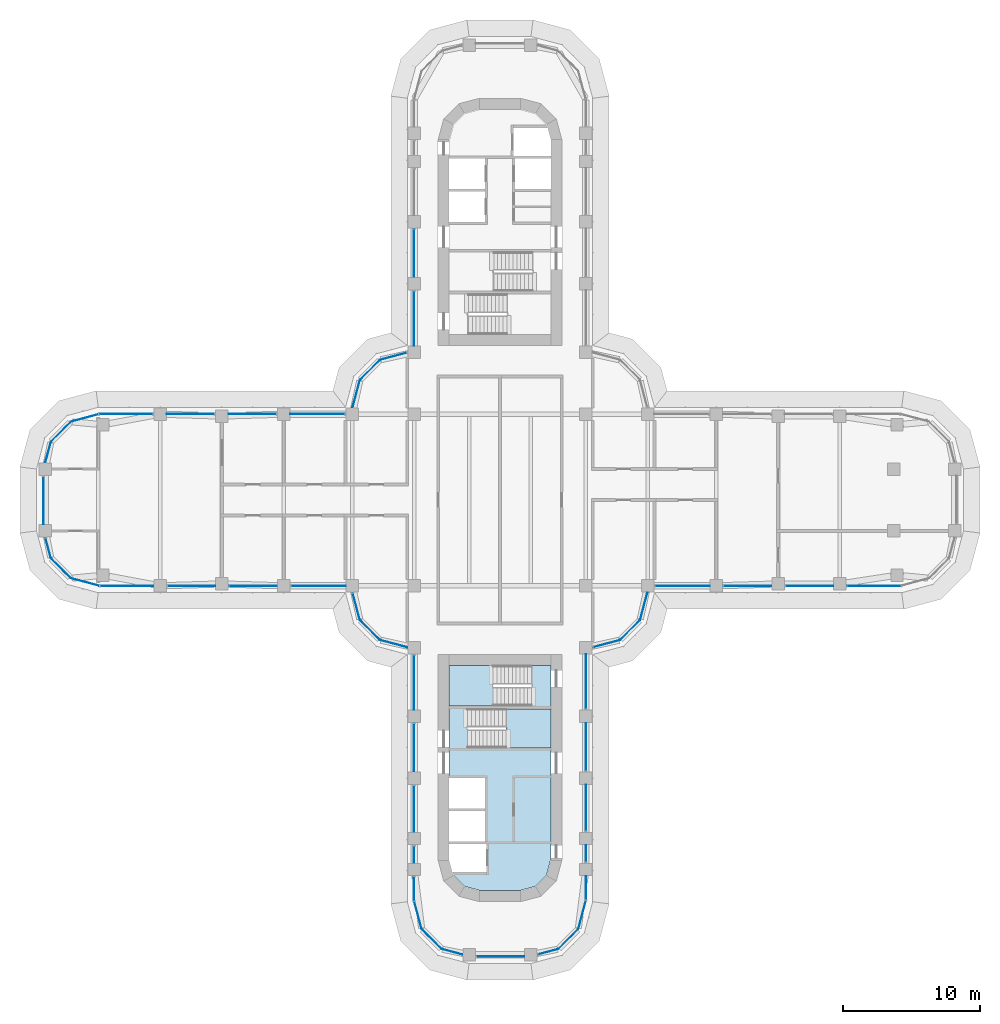
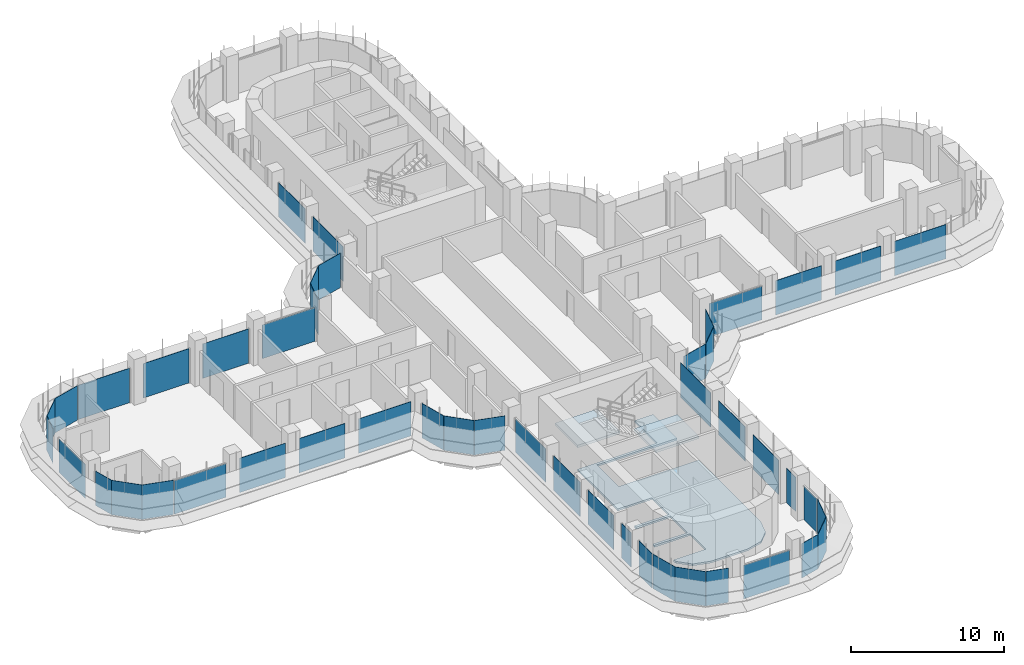
# One storey, part 13 of 23: 47 plates, 3 slabs, 31 elements without a shape of their own.
"""IFC4 building model written with IfcOpenShell, lengths in metres."""

from ifc_helpers import new_model, si_unit, direction, frame, origin, place, context, subcontext, project, spatial, polyline, outline, extrude, source, transform, mapped, material, layer, layer_set, type_object, element, aggregate, save


model = new_model("IFC4")

# Units and contexts
model_context = context("Model", 3, precision=1e-05, world=origin(), true_north=direction((0.0, 1.0)))
body_context = subcontext(model_context, "Body", "Model", "MODEL_VIEW")
ifc_project = project(units=[si_unit("LENGTHUNIT", "METRE"), si_unit("AREAUNIT", "SQUARE_METRE"), si_unit("VOLUMEUNIT", "CUBIC_METRE"), si_unit("PLANEANGLEUNIT", "RADIAN"), si_unit("MASSUNIT", "GRAM", prefix="KILO")], contexts=[model_context])

# Site, building, storey
site_placement = place(None, origin())
site = spatial("IfcSite", under=ifc_project, at=site_placement, CompositionType="ELEMENT")
building_placement = place(site_placement, origin())
building = spatial("IfcBuilding", under=site, at=building_placement, Name="Zarbagh Exchange Tower", CompositionType="ELEMENT")
storey_placement = place(building_placement, frame((0.0, 0.0, 90.39990234375)))
storey = spatial("IfcBuildingStorey", under=building, at=storey_placement, Name="L20", CompositionType="ELEMENT", Elevation=90.39990234375)

# Slab
ifc_material_1 = material(Name="Concrete C40/50", Category="concrete")
ifc_layer_1 = layer(ifc_material_1, 0.14990234375)
ifc_layer_set_1 = layer_set([ifc_layer_1], Name="Core floor slab 150 C40/50")
slab_type_1 = type_object("IfcSlabType", Name="Core floor slab 150 C40/50", PredefinedType="FLOOR", material=ifc_layer_set_1)
slab_1_placement = place(storey_placement, frame((0.0, 0.0, -0.14990234375)))
element("IfcSlab", 1, at=slab_1_placement, inside=storey, type_object=slab_type_1, Name="S17 core S", PredefinedType="FLOOR", context=body_context, shape_type="SweptSolid", body=[
    extrude(outline(polyline([(-2.5859375, -28.130859375), (-3.380859375, -27.3359375), (-3.646484375, -26.3447265625), (-3.444091796875, -27.10009765625), (-1.0, -27.10009765625), (-1.0, -25.050048828125), (-3.699951171875, -25.050048828125), (-3.699951171875, -24.85009765625), (-1.10009765625, -24.85009765625), (-1.10009765625, -22.64990234375), (-3.699951171875, -22.64990234375), (-3.699951171875, -22.449951171875), (-1.10009765625, -22.449951171875), (-1.10009765625, -20.25), (-3.699951171875, -20.25), (-3.699951171875, -15.0), (2.300048828125, -15.0), (2.300048828125, -12.050048828125), (3.699951171875, -12.050048828125), (3.699951171875, -15.199951171875), (-2.35009765625, -15.199951171875), (-2.35009765625, -18.050048828125), (3.699951171875, -18.050048828125), (3.699951171875, -26.144775390625), (3.380859375, -27.3359375), (2.5859375, -28.130859375), (1.394775390625, -28.449951171875), (-1.394775390625, -28.449951171875), (-2.5859375, -28.130859375)])), origin(), (0.0, 0.0, 1.0), 0.14990234375),
])

# Stair, slab
stair_type = type_object("IfcStairType", Name="Exit stair two-flight half-turn", PredefinedType="HALF_TURN_STAIR", material=ifc_material_1)
stair_1_placement = place(storey_placement, origin())
stair_1 = element("IfcStair", 2, at=stair_1_placement, inside=storey, type_object=stair_type, Name="exit stair ST3", PredefinedType="HALF_TURN_STAIR")
ifc_layer_2 = layer(ifc_material_1, 0.199951171875)
ifc_layer_set_2 = layer_set([ifc_layer_2], Name="Stair landing 200 mm")
slab_type_2 = type_object("IfcSlabType", Name="Stair landing 200 mm", PredefinedType="LANDING", material=ifc_layer_set_2)
slab_2_placement = place(storey_placement, frame((0.0, 0.0, 1.7001953125)))
slab_2 = element("IfcSlab", 3, at=slab_2_placement, type_object=slab_type_2, Name="ST3 landing 1", PredefinedType="LANDING", context=body_context, shape_type="SweptSolid", body=[
    extrude(outline(polyline([(0.449951171875, -18.050048828125), (3.699951171875, -18.050048828125), (3.699951171875, -15.199951171875), (0.449951171875, -15.199951171875), (0.449951171875, -18.050048828125)])), origin(), (0.0, 0.0, 1.0), 0.199951171875),
])
aggregate(stair_1, [slab_2])

stair_2_placement = place(storey_placement, origin())
stair_2 = element("IfcStair", 4, at=stair_2_placement, inside=storey, type_object=stair_type, Name="exit stair ST4", PredefinedType="HALF_TURN_STAIR")
slab_3_placement = place(storey_placement, frame((0.0, 0.0, 1.7001953125)))
slab_3 = element("IfcSlab", 5, at=slab_3_placement, type_object=slab_type_2, Name="ST4 landing 1", PredefinedType="LANDING", context=body_context, shape_type="SweptSolid", body=[
    extrude(outline(polyline([(-0.5, -12.050048828125), (-3.699951171875, -12.050048828125), (-3.699951171875, -15.0), (-0.5, -15.0), (-0.5, -12.050048828125)])), origin(), (0.0, 0.0, 1.0), 0.199951171875),
])
aggregate(stair_2, [slab_3])

# Curtain wall, plate
ifc_material_2 = material(Name="Anodised aluminium frame and glazing", Category="aluminium")
curtain_wall_type = type_object("IfcCurtainWallType", Name="CWA Ribbon glazing, lower zones", PredefinedType="NOTDEFINED", material=ifc_material_2)
curtain_wall_1_placement = place(storey_placement, origin())
curtain_wall_1 = element("IfcCurtainWall", 6, at=curtain_wall_1_placement, inside=storey, type_object=curtain_wall_type, Name="CWA01 curtain wall", PredefinedType="NOTDEFINED")
ifc_material_3 = material(Name="Low-e double glazed unit, 6+12+6 mm")
ifc_layer_3 = layer(ifc_material_3, 0.028076171875)
ifc_layer_set_3 = layer_set([ifc_layer_3], Name="PAA Glazing panel, Low-e double glazed unit, 6+12+6 mm")
plate_type = type_object("IfcPlateType", Name="PAA Glazing panel, Low-e double glazed unit, 6+12+6 mm", PredefinedType="CURTAIN_PANEL", material=ifc_layer_set_3)
shared_shape_1 = source(origin(), body_context, "Body", "SweptSolid", [
    extrude(outline(polyline([(0.0, -0.013916015625), (1.494140625, -0.013916015625), (1.494140625, 0.013916015625), (0.0, 0.013916015625), (0.0, -0.013916015625)])), origin(), (0.0, 0.0, 1.0), 2.75),
])
placement = place(storey_placement, origin())
plate_1 = element("IfcPlate", 7, at=placement, type_object=plate_type, Name="CWA01 glazing panel 1.1", PredefinedType="CURTAIN_PANEL", context=body_context, shape_type="MappedRepresentation", body=[
    mapped(shared_shape_1, transform((2.7978515625, -33.08544921875, 0.0), x_axis=(0.965924289636, 0.258824779902, 0.0), y_axis=(-0.258824779902, 0.965924289636, 0.0), z_axis=(0.0, 0.0, 1.0))),
])
aggregate(curtain_wall_1, [plate_1])

curtain_wall_2_placement = place(storey_placement, origin())
curtain_wall_2 = element("IfcCurtainWall", 8, at=curtain_wall_2_placement, inside=storey, type_object=curtain_wall_type, Name="CWA37 curtain wall", PredefinedType="NOTDEFINED")
plate_2 = element("IfcPlate", 9, at=placement, type_object=plate_type, Name="CWA37 glazing panel 1.1", PredefinedType="CURTAIN_PANEL", context=body_context, shape_type="MappedRepresentation", body=[
    mapped(shared_shape_1, transform((-33.08544921875, -2.7978515625, 0.0), x_axis=(0.258824779902, -0.965924289636, 0.0), y_axis=(0.965924289636, 0.258824779902, 0.0), z_axis=(0.0, 0.0, 1.0))),
])
aggregate(curtain_wall_2, [plate_2])

curtain_wall_3_placement = place(storey_placement, origin())
curtain_wall_3 = element("IfcCurtainWall", 10, at=curtain_wall_3_placement, inside=storey, type_object=curtain_wall_type, Name="CWA02 curtain wall", PredefinedType="NOTDEFINED")
shared_shape_2 = source(origin(), body_context, "Body", "SweptSolid", [
    extrude(outline(polyline([(0.0, -0.013916015625), (2.061279296875, -0.013916015625), (2.061279296875, 0.013916015625), (0.0, 0.013916015625), (0.0, -0.013916015625)])), origin(), (0.0, 0.0, 1.0), 2.75),
])
plate_3 = element("IfcPlate", 11, at=placement, type_object=plate_type, Name="CWA02 glazing panel 1.1", PredefinedType="CURTAIN_PANEL", context=body_context, shape_type="MappedRepresentation", body=[
    mapped(shared_shape_2, transform((4.2412109375, -32.69873046875, 0.0), x_axis=(0.707106781187, 0.707106781187, 0.0), y_axis=(-0.707106781187, 0.707106781187, 0.0), z_axis=(0.0, 0.0, 1.0))),
])
aggregate(curtain_wall_3, [plate_3])

curtain_wall_4_placement = place(storey_placement, origin())
curtain_wall_4 = element("IfcCurtainWall", 12, at=curtain_wall_4_placement, inside=storey, type_object=curtain_wall_type, Name="CWA06 curtain wall", PredefinedType="NOTDEFINED")
plate_4 = element("IfcPlate", 13, at=placement, type_object=plate_type, Name="CWA06 glazing panel 1.1", PredefinedType="CURTAIN_PANEL", context=body_context, shape_type="MappedRepresentation", body=[
    mapped(shared_shape_2, transform((8.7412109375, -10.19873046875, 0.0), x_axis=(0.707106781187, 0.707106781187, 0.0), y_axis=(-0.707106781187, 0.707106781187, 0.0), z_axis=(0.0, 0.0, 1.0))),
])
aggregate(curtain_wall_4, [plate_4])

curtain_wall_5_placement = place(storey_placement, origin())
curtain_wall_5 = element("IfcCurtainWall", 14, at=curtain_wall_5_placement, inside=storey, type_object=curtain_wall_type, Name="CWA30 curtain wall", PredefinedType="NOTDEFINED")
plate_5 = element("IfcPlate", 15, at=placement, type_object=plate_type, Name="CWA30 glazing panel 1.1", PredefinedType="CURTAIN_PANEL", context=body_context, shape_type="MappedRepresentation", body=[
    mapped(shared_shape_2, transform((-8.7412109375, 10.19873046875, 0.0), x_axis=(-0.707106781187, -0.707106781187, 0.0), y_axis=(0.707106781187, -0.707106781187, 0.0), z_axis=(0.0, 0.0, 1.0))),
])
aggregate(curtain_wall_5, [plate_5])

curtain_wall_6_placement = place(storey_placement, origin())
curtain_wall_6 = element("IfcCurtainWall", 16, at=curtain_wall_6_placement, inside=storey, type_object=curtain_wall_type, Name="CWA34 curtain wall", PredefinedType="NOTDEFINED")
plate_6 = element("IfcPlate", 17, at=placement, type_object=plate_type, Name="CWA34 glazing panel 1.1", PredefinedType="CURTAIN_PANEL", context=body_context, shape_type="MappedRepresentation", body=[
    mapped(shared_shape_2, transform((-31.2412109375, 5.69873046875, 0.0), x_axis=(-0.707106781187, -0.707106781187, 0.0), y_axis=(0.707106781187, -0.707106781187, 0.0), z_axis=(0.0, 0.0, 1.0))),
])
aggregate(curtain_wall_6, [plate_6])

curtain_wall_7_placement = place(storey_placement, origin())
curtain_wall_7 = element("IfcCurtainWall", 18, at=curtain_wall_7_placement, inside=storey, type_object=curtain_wall_type, Name="CWA38 curtain wall", PredefinedType="NOTDEFINED")
plate_7 = element("IfcPlate", 19, at=placement, type_object=plate_type, Name="CWA38 glazing panel 1.1", PredefinedType="CURTAIN_PANEL", context=body_context, shape_type="MappedRepresentation", body=[
    mapped(shared_shape_2, transform((-32.69873046875, -4.2412109375, 0.0), x_axis=(0.707106781187, -0.707106781187, 0.0), y_axis=(0.707106781187, 0.707106781187, 0.0), z_axis=(0.0, 0.0, 1.0))),
])
aggregate(curtain_wall_7, [plate_7])

curtain_wall_8_placement = place(storey_placement, origin())
curtain_wall_8 = element("IfcCurtainWall", 20, at=curtain_wall_8_placement, inside=storey, type_object=curtain_wall_type, Name="CWA42 curtain wall", PredefinedType="NOTDEFINED")
plate_8 = element("IfcPlate", 21, at=placement, type_object=plate_type, Name="CWA42 glazing panel 1.1", PredefinedType="CURTAIN_PANEL", context=body_context, shape_type="MappedRepresentation", body=[
    mapped(shared_shape_2, transform((-10.19873046875, -8.7412109375, 0.0), x_axis=(0.707106781187, -0.707106781187, 0.0), y_axis=(0.707106781187, 0.707106781187, 0.0), z_axis=(0.0, 0.0, 1.0))),
])
aggregate(curtain_wall_8, [plate_8])

curtain_wall_9_placement = place(storey_placement, origin())
curtain_wall_9 = element("IfcCurtainWall", 22, at=curtain_wall_9_placement, inside=storey, type_object=curtain_wall_type, Name="CWA46 curtain wall", PredefinedType="NOTDEFINED")
plate_9 = element("IfcPlate", 23, at=placement, type_object=plate_type, Name="CWA46 glazing panel 1.1", PredefinedType="CURTAIN_PANEL", context=body_context, shape_type="MappedRepresentation", body=[
    mapped(shared_shape_2, transform((-5.69873046875, -31.2412109375, 0.0), x_axis=(0.707106781187, -0.707106781187, 0.0), y_axis=(0.707106781187, 0.707106781187, 0.0), z_axis=(0.0, 0.0, 1.0))),
])
aggregate(curtain_wall_9, [plate_9])

curtain_wall_10_placement = place(storey_placement, origin())
curtain_wall_10 = element("IfcCurtainWall", 24, at=curtain_wall_10_placement, inside=storey, type_object=curtain_wall_type, Name="CWA03 curtain wall", PredefinedType="NOTDEFINED")
shared_shape_3 = source(origin(), body_context, "Body", "SweptSolid", [
    extrude(outline(polyline([(0.0, -0.013916015625), (2.129638671875, -0.013916015625), (2.129638671875, 0.013916015625), (0.0, 0.013916015625), (0.0, -0.013916015625)])), origin(), (0.0, 0.0, 1.0), 2.75),
])
plate_10 = element("IfcPlate", 25, at=placement, type_object=plate_type, Name="CWA03 glazing panel 1.1", PredefinedType="CURTAIN_PANEL", context=body_context, shape_type="MappedRepresentation", body=[
    mapped(shared_shape_3, transform((5.69873046875, -31.2412109375, 0.0), x_axis=(0.258824779902, 0.965924289636, 0.0), y_axis=(-0.965924289636, 0.258824779902, 0.0), z_axis=(0.0, 0.0, 1.0))),
])
aggregate(curtain_wall_10, [plate_10])

curtain_wall_11_placement = place(storey_placement, origin())
curtain_wall_11 = element("IfcCurtainWall", 26, at=curtain_wall_11_placement, inside=storey, type_object=curtain_wall_type, Name="CWA39 curtain wall", PredefinedType="NOTDEFINED")
plate_11 = element("IfcPlate", 27, at=placement, type_object=plate_type, Name="CWA39 glazing panel 1.1", PredefinedType="CURTAIN_PANEL", context=body_context, shape_type="MappedRepresentation", body=[
    mapped(shared_shape_3, transform((-31.2412109375, -5.69873046875, 0.0), x_axis=(0.965924289636, -0.258824779902, 0.0), y_axis=(0.258824779902, 0.965924289636, 0.0), z_axis=(0.0, 0.0, 1.0))),
])
aggregate(curtain_wall_11, [plate_11])

# Curtain wall, plates
curtain_wall_12_placement = place(storey_placement, origin())
curtain_wall_12 = element("IfcCurtainWall", 28, at=curtain_wall_12_placement, inside=storey, type_object=curtain_wall_type, Name="CWA04 curtain wall", PredefinedType="NOTDEFINED")
shared_shape_4 = source(origin(), body_context, "Body", "SweptSolid", [
    extrude(outline(polyline([(0.0, -0.013916015625), (1.734130859375, -0.013916015625), (1.734130859375, 0.013916015625), (0.0, 0.013916015625), (0.0, -0.013916015625)])), origin(), (0.0, 0.0, 1.0), 2.68994140625),
])
plate_12 = element("IfcPlate", 29, at=placement, type_object=plate_type, Name="CWA04 glazing panel 1.1", PredefinedType="CURTAIN_PANEL", context=body_context, shape_type="MappedRepresentation", body=[
    mapped(shared_shape_4, transform((6.25, -29.124267578125, 0.0), x_axis=(0.0, 1.0, 0.0), y_axis=(-1.0, 0.0, 0.0), z_axis=(0.0, 0.0, 1.0))),
])
shared_shape_5 = source(origin(), body_context, "Body", "SweptSolid", [
    extrude(outline(polyline([(0.0, -0.013916015625), (1.2099609375, -0.013916015625), (1.2099609375, 0.013916015625), (0.0, 0.013916015625), (0.0, -0.013916015625)])), origin(), (0.0, 0.0, 1.0), 2.75),
])
plate_13 = element("IfcPlate", 30, at=placement, type_object=plate_type, Name="CWA04 glazing panel 2.1", PredefinedType="CURTAIN_PANEL", context=body_context, shape_type="MappedRepresentation", body=[
    mapped(shared_shape_5, transform((6.25, -26.349853515625, 0.0), x_axis=(0.0, 1.0, 0.0), y_axis=(-1.0, 0.0, 0.0), z_axis=(0.0, 0.0, 1.0))),
])

# Curtain wall, plate
curtain_wall_13_placement = place(storey_placement, origin())
curtain_wall_13 = element("IfcCurtainWall", 31, at=curtain_wall_13_placement, inside=storey, type_object=curtain_wall_type, Name="CWA44 curtain wall", PredefinedType="NOTDEFINED")
plate_14 = element("IfcPlate", 32, at=placement, type_object=plate_type, Name="CWA44 glazing panel 4.1", PredefinedType="CURTAIN_PANEL", context=body_context, shape_type="MappedRepresentation", body=[
    mapped(shared_shape_5, transform((-6.25, -25.199951171875, 0.0), x_axis=(0.0, -1.0, 0.0), y_axis=(1.0, 0.0, 0.0), z_axis=(0.0, 0.0, 1.0))),
])

# Plate
shared_shape_6 = source(origin(), body_context, "Body", "SweptSolid", [
    extrude(outline(polyline([(0.0, -0.013916015625), (3.360107421875, -0.013916015625), (3.360107421875, 0.013916015625), (0.0, 0.013916015625), (0.0, -0.013916015625)])), origin(), (0.0, 0.0, 1.0), 2.75),
])
plate_15 = element("IfcPlate", 33, at=placement, type_object=plate_type, Name="CWA04 glazing panel 3.1", PredefinedType="CURTAIN_PANEL", context=body_context, shape_type="MappedRepresentation", body=[
    mapped(shared_shape_6, transform((6.25, -24.099853515625, 0.0), x_axis=(0.0, 1.0, 0.0), y_axis=(-1.0, 0.0, 0.0), z_axis=(0.0, 0.0, 1.0))),
])

plate_16 = element("IfcPlate", 34, at=placement, type_object=plate_type, Name="CWA44 glazing panel 3.1", PredefinedType="CURTAIN_PANEL", context=body_context, shape_type="MappedRepresentation", body=[
    mapped(shared_shape_6, transform((-6.25, -20.800048828125, 0.0), x_axis=(0.0, -1.0, 0.0), y_axis=(1.0, 0.0, 0.0), z_axis=(0.0, 0.0, 1.0))),
])

shared_shape_7 = source(origin(), body_context, "Body", "SweptSolid", [
    extrude(outline(polyline([(0.0, -0.013916015625), (3.4599609375, -0.013916015625), (3.4599609375, 0.013916015625), (0.0, 0.013916015625), (0.0, -0.013916015625)])), origin(), (0.0, 0.0, 1.0), 2.75),
])
plate_17 = element("IfcPlate", 35, at=placement, type_object=plate_type, Name="CWA04 glazing panel 4.1", PredefinedType="CURTAIN_PANEL", context=body_context, shape_type="MappedRepresentation", body=[
    mapped(shared_shape_7, transform((6.25, -19.699951171875, 0.0), x_axis=(0.0, 1.0, 0.0), y_axis=(-1.0, 0.0, 0.0), z_axis=(0.0, 0.0, 1.0))),
])

# Curtain wall, plates
curtain_wall_14_placement = place(storey_placement, origin())
curtain_wall_14 = element("IfcCurtainWall", 36, at=curtain_wall_14_placement, inside=storey, type_object=curtain_wall_type, Name="CWA08 curtain wall", PredefinedType="NOTDEFINED")
plate_18 = element("IfcPlate", 37, at=placement, type_object=plate_type, Name="CWA08 glazing panel 2.1", PredefinedType="CURTAIN_PANEL", context=body_context, shape_type="MappedRepresentation", body=[
    mapped(shared_shape_7, transform((16.300048828125, -6.25, 0.0), x_axis=(1.0, 0.0, 0.0), y_axis=(0.0, 1.0, 0.0), z_axis=(0.0, 0.0, 1.0))),
])
plate_19 = element("IfcPlate", 38, at=placement, type_object=plate_type, Name="CWA08 glazing panel 3.1", PredefinedType="CURTAIN_PANEL", context=body_context, shape_type="MappedRepresentation", body=[
    mapped(shared_shape_7, transform((20.800048828125, -6.25, 0.0), x_axis=(1.0, 0.0, 0.0), y_axis=(0.0, 1.0, 0.0), z_axis=(0.0, 0.0, 1.0))),
])

# Curtain wall, plate
curtain_wall_15_placement = place(storey_placement, origin())
curtain_wall_15 = element("IfcCurtainWall", 39, at=curtain_wall_15_placement, inside=storey, type_object=curtain_wall_type, Name="CWA28 curtain wall", PredefinedType="NOTDEFINED")
plate_20 = element("IfcPlate", 40, at=placement, type_object=plate_type, Name="CWA28 glazing panel 4.1", PredefinedType="CURTAIN_PANEL", context=body_context, shape_type="MappedRepresentation", body=[
    mapped(shared_shape_7, transform((-6.25, 19.699951171875, 0.0), x_axis=(0.0, -1.0, 0.0), y_axis=(1.0, 0.0, 0.0), z_axis=(0.0, 0.0, 1.0))),
])

# Curtain wall, plates
curtain_wall_16_placement = place(storey_placement, origin())
curtain_wall_16 = element("IfcCurtainWall", 41, at=curtain_wall_16_placement, inside=storey, type_object=curtain_wall_type, Name="CWA32 curtain wall", PredefinedType="NOTDEFINED")
plate_21 = element("IfcPlate", 42, at=placement, type_object=plate_type, Name="CWA32 glazing panel 2.1", PredefinedType="CURTAIN_PANEL", context=body_context, shape_type="MappedRepresentation", body=[
    mapped(shared_shape_7, transform((-16.300048828125, 6.25, 0.0), x_axis=(-1.0, 0.0, 0.0), y_axis=(0.0, -1.0, 0.0), z_axis=(0.0, 0.0, 1.0))),
])
plate_22 = element("IfcPlate", 43, at=placement, type_object=plate_type, Name="CWA32 glazing panel 3.1", PredefinedType="CURTAIN_PANEL", context=body_context, shape_type="MappedRepresentation", body=[
    mapped(shared_shape_7, transform((-20.800048828125, 6.25, 0.0), x_axis=(-1.0, 0.0, 0.0), y_axis=(0.0, -1.0, 0.0), z_axis=(0.0, 0.0, 1.0))),
])

curtain_wall_17_placement = place(storey_placement, origin())
curtain_wall_17 = element("IfcCurtainWall", 44, at=curtain_wall_17_placement, inside=storey, type_object=curtain_wall_type, Name="CWA40 curtain wall", PredefinedType="NOTDEFINED")
plate_23 = element("IfcPlate", 45, at=placement, type_object=plate_type, Name="CWA40 glazing panel 2.1", PredefinedType="CURTAIN_PANEL", context=body_context, shape_type="MappedRepresentation", body=[
    mapped(shared_shape_7, transform((-24.199951171875, -6.25, 0.0), x_axis=(1.0, 0.0, 0.0), y_axis=(0.0, 1.0, 0.0), z_axis=(0.0, 0.0, 1.0))),
])
plate_24 = element("IfcPlate", 46, at=placement, type_object=plate_type, Name="CWA40 glazing panel 3.1", PredefinedType="CURTAIN_PANEL", context=body_context, shape_type="MappedRepresentation", body=[
    mapped(shared_shape_7, transform((-19.699951171875, -6.25, 0.0), x_axis=(1.0, 0.0, 0.0), y_axis=(0.0, 1.0, 0.0), z_axis=(0.0, 0.0, 1.0))),
])

# Plate
plate_25 = element("IfcPlate", 47, at=placement, type_object=plate_type, Name="CWA44 glazing panel 2.1", PredefinedType="CURTAIN_PANEL", context=body_context, shape_type="MappedRepresentation", body=[
    mapped(shared_shape_7, transform((-6.25, -16.300048828125, 0.0), x_axis=(0.0, -1.0, 0.0), y_axis=(1.0, 0.0, 0.0), z_axis=(0.0, 0.0, 1.0))),
])

shared_shape_8 = source(origin(), body_context, "Body", "SweptSolid", [
    extrude(outline(polyline([(0.0, -0.013916015625), (3.9599609375, -0.013916015625), (3.9599609375, 0.013916015625), (0.0, 0.013916015625), (0.0, -0.013916015625)])), origin(), (0.0, 0.0, 1.0), 2.75),
])
plate_26 = element("IfcPlate", 48, at=placement, type_object=plate_type, Name="CWA04 glazing panel 5.1", PredefinedType="CURTAIN_PANEL", context=body_context, shape_type="MappedRepresentation", body=[
    mapped(shared_shape_8, transform((6.25, -15.199951171875, 0.0), x_axis=(0.0, 1.0, 0.0), y_axis=(-1.0, 0.0, 0.0), z_axis=(0.0, 0.0, 1.0))),
])

aggregate(curtain_wall_12, [plate_12, plate_13, plate_15, plate_17, plate_26])

plate_27 = element("IfcPlate", 49, at=placement, type_object=plate_type, Name="CWA28 glazing panel 5.1", PredefinedType="CURTAIN_PANEL", context=body_context, shape_type="MappedRepresentation", body=[
    mapped(shared_shape_8, transform((-6.25, 15.199951171875, 0.0), x_axis=(0.0, -1.0, 0.0), y_axis=(1.0, 0.0, 0.0), z_axis=(0.0, 0.0, 1.0))),
])

aggregate(curtain_wall_15, [plate_20, plate_27])

plate_28 = element("IfcPlate", 50, at=placement, type_object=plate_type, Name="CWA40 glazing panel 4.1", PredefinedType="CURTAIN_PANEL", context=body_context, shape_type="MappedRepresentation", body=[
    mapped(shared_shape_8, transform((-15.199951171875, -6.25, 0.0), x_axis=(1.0, 0.0, 0.0), y_axis=(0.0, 1.0, 0.0), z_axis=(0.0, 0.0, 1.0))),
])

# Curtain wall, plate
curtain_wall_18_placement = place(storey_placement, origin())
curtain_wall_18 = element("IfcCurtainWall", 51, at=curtain_wall_18_placement, inside=storey, type_object=curtain_wall_type, Name="CWA05 curtain wall", PredefinedType="NOTDEFINED")
shared_shape_9 = source(origin(), body_context, "Body", "SweptSolid", [
    extrude(outline(polyline([(0.0, -0.013916015625), (2.01171875, -0.013916015625), (2.01171875, 0.013916015625), (0.0, 0.013916015625), (0.0, -0.013916015625)])), origin(), (0.0, 0.0, 1.0), 2.75),
])
plate_29 = element("IfcPlate", 52, at=placement, type_object=plate_type, Name="CWA05 glazing panel 1.1", PredefinedType="CURTAIN_PANEL", context=body_context, shape_type="MappedRepresentation", body=[
    mapped(shared_shape_9, transform((6.7978515625, -10.719482421875, 0.0), x_axis=(0.965924289636, 0.258824779902, 0.0), y_axis=(-0.258824779902, 0.965924289636, 0.0), z_axis=(0.0, 0.0, 1.0))),
])
aggregate(curtain_wall_18, [plate_29])

curtain_wall_19_placement = place(storey_placement, origin())
curtain_wall_19 = element("IfcCurtainWall", 53, at=curtain_wall_19_placement, inside=storey, type_object=curtain_wall_type, Name="CWA29 curtain wall", PredefinedType="NOTDEFINED")
plate_30 = element("IfcPlate", 54, at=placement, type_object=plate_type, Name="CWA29 glazing panel 1.1", PredefinedType="CURTAIN_PANEL", context=body_context, shape_type="MappedRepresentation", body=[
    mapped(shared_shape_9, transform((-6.7978515625, 10.719482421875, 0.0), x_axis=(-0.965924289636, -0.258824779902, 0.0), y_axis=(0.258824779902, -0.965924289636, 0.0), z_axis=(0.0, 0.0, 1.0))),
])
aggregate(curtain_wall_19, [plate_30])

curtain_wall_20_placement = place(storey_placement, origin())
curtain_wall_20 = element("IfcCurtainWall", 55, at=curtain_wall_20_placement, inside=storey, type_object=curtain_wall_type, Name="CWA41 curtain wall", PredefinedType="NOTDEFINED")
plate_31 = element("IfcPlate", 56, at=placement, type_object=plate_type, Name="CWA41 glazing panel 1.1", PredefinedType="CURTAIN_PANEL", context=body_context, shape_type="MappedRepresentation", body=[
    mapped(shared_shape_9, transform((-10.719482421875, -6.7978515625, 0.0), x_axis=(0.258824779902, -0.965924289636, 0.0), y_axis=(0.965924289636, 0.258824779902, 0.0), z_axis=(0.0, 0.0, 1.0))),
])
aggregate(curtain_wall_20, [plate_31])

curtain_wall_21_placement = place(storey_placement, origin())
curtain_wall_21 = element("IfcCurtainWall", 57, at=curtain_wall_21_placement, inside=storey, type_object=curtain_wall_type, Name="CWA07 curtain wall", PredefinedType="NOTDEFINED")
shared_shape_10 = source(origin(), body_context, "Body", "SweptSolid", [
    extrude(outline(polyline([(0.0, -0.013916015625), (2.07177734375, -0.013916015625), (2.07177734375, 0.013916015625), (0.0, 0.013916015625), (0.0, -0.013916015625)])), origin(), (0.0, 0.0, 1.0), 2.75),
])
plate_32 = element("IfcPlate", 58, at=placement, type_object=plate_type, Name="CWA07 glazing panel 1.1", PredefinedType="CURTAIN_PANEL", context=body_context, shape_type="MappedRepresentation", body=[
    mapped(shared_shape_10, transform((10.19873046875, -8.7412109375, 0.0), x_axis=(0.258824779902, 0.965924289636, 0.0), y_axis=(-0.965924289636, 0.258824779902, 0.0), z_axis=(0.0, 0.0, 1.0))),
])
aggregate(curtain_wall_21, [plate_32])

curtain_wall_22_placement = place(storey_placement, origin())
curtain_wall_22 = element("IfcCurtainWall", 59, at=curtain_wall_22_placement, inside=storey, type_object=curtain_wall_type, Name="CWA31 curtain wall", PredefinedType="NOTDEFINED")
plate_33 = element("IfcPlate", 60, at=placement, type_object=plate_type, Name="CWA31 glazing panel 1.1", PredefinedType="CURTAIN_PANEL", context=body_context, shape_type="MappedRepresentation", body=[
    mapped(shared_shape_10, transform((-10.19873046875, 8.7412109375, 0.0), x_axis=(-0.258824779902, -0.965924289636, 0.0), y_axis=(0.965924289636, -0.258824779902, 0.0), z_axis=(0.0, 0.0, 1.0))),
])
aggregate(curtain_wall_22, [plate_33])

curtain_wall_23_placement = place(storey_placement, origin())
curtain_wall_23 = element("IfcCurtainWall", 61, at=curtain_wall_23_placement, inside=storey, type_object=curtain_wall_type, Name="CWA43 curtain wall", PredefinedType="NOTDEFINED")
plate_34 = element("IfcPlate", 62, at=placement, type_object=plate_type, Name="CWA43 glazing panel 1.1", PredefinedType="CURTAIN_PANEL", context=body_context, shape_type="MappedRepresentation", body=[
    mapped(shared_shape_10, transform((-8.7412109375, -10.19873046875, 0.0), x_axis=(0.965924289636, -0.258824779902, 0.0), y_axis=(0.258824779902, 0.965924289636, 0.0), z_axis=(0.0, 0.0, 1.0))),
])
aggregate(curtain_wall_23, [plate_34])

# Plate
shared_shape_11 = source(origin(), body_context, "Body", "SweptSolid", [
    extrude(outline(polyline([(0.0, -0.013916015625), (3.9599609375, -0.013916015625), (3.9599609375, 0.013916015625), (0.0, 0.013916015625), (0.0, -0.013916015625)])), origin(), (0.0, 0.0, 1.0), 2.68994140625),
])
plate_35 = element("IfcPlate", 63, at=placement, type_object=plate_type, Name="CWA08 glazing panel 1.1", PredefinedType="CURTAIN_PANEL", context=body_context, shape_type="MappedRepresentation", body=[
    mapped(shared_shape_11, transform((11.300048828125, -6.25, 0.0), x_axis=(1.0, 0.0, 0.0), y_axis=(0.0, 1.0, 0.0), z_axis=(0.0, 0.0, 1.0))),
])

plate_36 = element("IfcPlate", 64, at=placement, type_object=plate_type, Name="CWA32 glazing panel 1.1", PredefinedType="CURTAIN_PANEL", context=body_context, shape_type="MappedRepresentation", body=[
    mapped(shared_shape_11, transform((-11.300048828125, 6.25, 0.0), x_axis=(-1.0, 0.0, 0.0), y_axis=(0.0, -1.0, 0.0), z_axis=(0.0, 0.0, 1.0))),
])

plate_37 = element("IfcPlate", 65, at=placement, type_object=plate_type, Name="CWA44 glazing panel 1.1", PredefinedType="CURTAIN_PANEL", context=body_context, shape_type="MappedRepresentation", body=[
    mapped(shared_shape_11, transform((-6.25, -11.300048828125, 0.0), x_axis=(0.0, -1.0, 0.0), y_axis=(1.0, 0.0, 0.0), z_axis=(0.0, 0.0, 1.0))),
])

shared_shape_12 = source(origin(), body_context, "Body", "SweptSolid", [
    extrude(outline(polyline([(0.0, -0.013916015625), (3.884033203125, -0.013916015625), (3.884033203125, 0.013916015625), (0.0, 0.013916015625), (0.0, -0.013916015625)])), origin(), (0.0, 0.0, 1.0), 2.75),
])
plate_38 = element("IfcPlate", 66, at=placement, type_object=plate_type, Name="CWA08 glazing panel 4.1", PredefinedType="CURTAIN_PANEL", context=body_context, shape_type="MappedRepresentation", body=[
    mapped(shared_shape_12, transform((25.300048828125, -6.25, 0.0), x_axis=(1.0, 0.0, 0.0), y_axis=(0.0, 1.0, 0.0), z_axis=(0.0, 0.0, 1.0))),
])

aggregate(curtain_wall_14, [plate_35, plate_18, plate_19, plate_38])

plate_39 = element("IfcPlate", 67, at=placement, type_object=plate_type, Name="CWA32 glazing panel 4.1", PredefinedType="CURTAIN_PANEL", context=body_context, shape_type="MappedRepresentation", body=[
    mapped(shared_shape_12, transform((-25.300048828125, 6.25, 0.0), x_axis=(-1.0, 0.0, 0.0), y_axis=(0.0, -1.0, 0.0), z_axis=(0.0, 0.0, 1.0))),
])

aggregate(curtain_wall_16, [plate_36, plate_21, plate_22, plate_39])

# Curtain wall, plate
curtain_wall_24_placement = place(storey_placement, origin())
curtain_wall_24 = element("IfcCurtainWall", 68, at=curtain_wall_24_placement, inside=storey, type_object=curtain_wall_type, Name="CWA33 curtain wall", PredefinedType="NOTDEFINED")
shared_shape_13 = source(origin(), body_context, "Body", "SweptSolid", [
    extrude(outline(polyline([(0.0, -0.013916015625), (2.069580078125, -0.013916015625), (2.069580078125, 0.013916015625), (0.0, 0.013916015625), (0.0, -0.013916015625)])), origin(), (0.0, 0.0, 1.0), 2.75),
])
plate_40 = element("IfcPlate", 69, at=placement, type_object=plate_type, Name="CWA33 glazing panel 1.1", PredefinedType="CURTAIN_PANEL", context=body_context, shape_type="MappedRepresentation", body=[
    mapped(shared_shape_13, transform((-29.2421875, 6.234375, 0.0), x_axis=(-0.965924289636, -0.258824779902, 0.0), y_axis=(0.258824779902, -0.965924289636, 0.0), z_axis=(0.0, 0.0, 1.0))),
])
aggregate(curtain_wall_24, [plate_40])

curtain_wall_25_placement = place(storey_placement, origin())
curtain_wall_25 = element("IfcCurtainWall", 70, at=curtain_wall_25_placement, inside=storey, type_object=curtain_wall_type, Name="CWA45 curtain wall", PredefinedType="NOTDEFINED")
plate_41 = element("IfcPlate", 71, at=placement, type_object=plate_type, Name="CWA45 glazing panel 1.1", PredefinedType="CURTAIN_PANEL", context=body_context, shape_type="MappedRepresentation", body=[
    mapped(shared_shape_13, transform((-6.234375, -29.2421875, 0.0), x_axis=(0.258824779902, -0.965924289636, 0.0), y_axis=(0.965924289636, 0.258824779902, 0.0), z_axis=(0.0, 0.0, 1.0))),
])
aggregate(curtain_wall_25, [plate_41])

curtain_wall_26_placement = place(storey_placement, origin())
curtain_wall_26 = element("IfcCurtainWall", 72, at=curtain_wall_26_placement, inside=storey, type_object=curtain_wall_type, Name="CWA35 curtain wall", PredefinedType="NOTDEFINED")
shared_shape_14 = source(origin(), body_context, "Body", "SweptSolid", [
    extrude(outline(polyline([(0.0, -0.013916015625), (1.55419921875, -0.013916015625), (1.55419921875, 0.013916015625), (0.0, 0.013916015625), (0.0, -0.013916015625)])), origin(), (0.0, 0.0, 1.0), 2.75),
])
plate_42 = element("IfcPlate", 73, at=placement, type_object=plate_type, Name="CWA35 glazing panel 1.1", PredefinedType="CURTAIN_PANEL", context=body_context, shape_type="MappedRepresentation", body=[
    mapped(shared_shape_14, transform((-32.69873046875, 4.2412109375, 0.0), x_axis=(-0.258824779902, -0.965924289636, 0.0), y_axis=(0.965924289636, -0.258824779902, 0.0), z_axis=(0.0, 0.0, 1.0))),
])
aggregate(curtain_wall_26, [plate_42])

curtain_wall_27_placement = place(storey_placement, origin())
curtain_wall_27 = element("IfcCurtainWall", 74, at=curtain_wall_27_placement, inside=storey, type_object=curtain_wall_type, Name="CWA47 curtain wall", PredefinedType="NOTDEFINED")
plate_43 = element("IfcPlate", 75, at=placement, type_object=plate_type, Name="CWA47 glazing panel 1.1", PredefinedType="CURTAIN_PANEL", context=body_context, shape_type="MappedRepresentation", body=[
    mapped(shared_shape_14, transform((-4.2412109375, -32.69873046875, 0.0), x_axis=(0.965924289636, -0.258824779902, 0.0), y_axis=(0.258824779902, 0.965924289636, 0.0), z_axis=(0.0, 0.0, 1.0))),
])
aggregate(curtain_wall_27, [plate_43])

curtain_wall_28_placement = place(storey_placement, origin())
curtain_wall_28 = element("IfcCurtainWall", 76, at=curtain_wall_28_placement, inside=storey, type_object=curtain_wall_type, Name="CWA36 curtain wall", PredefinedType="NOTDEFINED")
shared_shape_15 = source(origin(), body_context, "Body", "SweptSolid", [
    extrude(outline(polyline([(0.0, -0.013916015625), (3.4599609375, -0.013916015625), (3.4599609375, 0.013916015625), (0.0, 0.013916015625), (0.0, -0.013916015625)])), origin(), (0.0, 0.0, 1.0), 2.68994140625),
])
plate_44 = element("IfcPlate", 77, at=placement, type_object=plate_type, Name="CWA36 glazing panel 1.1", PredefinedType="CURTAIN_PANEL", context=body_context, shape_type="MappedRepresentation", body=[
    mapped(shared_shape_15, transform((-33.25, 1.699951171875, 0.0), x_axis=(0.0, -1.0, 0.0), y_axis=(1.0, 0.0, 0.0), z_axis=(0.0, 0.0, 1.0))),
])
aggregate(curtain_wall_28, [plate_44])

curtain_wall_29_placement = place(storey_placement, origin())
curtain_wall_29 = element("IfcCurtainWall", 78, at=curtain_wall_29_placement, inside=storey, type_object=curtain_wall_type, Name="CWA48 curtain wall", PredefinedType="NOTDEFINED")
plate_45 = element("IfcPlate", 79, at=placement, type_object=plate_type, Name="CWA48 glazing panel 1.1", PredefinedType="CURTAIN_PANEL", context=body_context, shape_type="MappedRepresentation", body=[
    mapped(shared_shape_15, transform((-1.699951171875, -33.25, 0.0), x_axis=(1.0, 0.0, 0.0), y_axis=(0.0, 1.0, 0.0), z_axis=(0.0, 0.0, 1.0))),
])
aggregate(curtain_wall_29, [plate_45])

# Plate
shared_shape_16 = source(origin(), body_context, "Body", "SweptSolid", [
    extrude(outline(polyline([(0.0, -0.013916015625), (3.88427734375, -0.013916015625), (3.88427734375, 0.013916015625), (0.0, 0.013916015625), (0.0, -0.013916015625)])), origin(), (0.0, 0.0, 1.0), 2.68994140625),
])
plate_46 = element("IfcPlate", 80, at=placement, type_object=plate_type, Name="CWA40 glazing panel 1.1", PredefinedType="CURTAIN_PANEL", context=body_context, shape_type="MappedRepresentation", body=[
    mapped(shared_shape_16, transform((-29.124267578125, -6.25, 0.0), x_axis=(1.0, 0.0, 0.0), y_axis=(0.0, 1.0, 0.0), z_axis=(0.0, 0.0, 1.0))),
])

aggregate(curtain_wall_17, [plate_46, plate_23, plate_24, plate_28])

shared_shape_17 = source(origin(), body_context, "Body", "SweptSolid", [
    extrude(outline(polyline([(0.0, -0.013916015625), (1.734130859375, -0.013916015625), (1.734130859375, 0.013916015625), (0.0, 0.013916015625), (0.0, -0.013916015625)])), origin(), (0.0, 0.0, 1.0), 2.75),
])
plate_47 = element("IfcPlate", 81, at=placement, type_object=plate_type, Name="CWA44 glazing panel 5.1", PredefinedType="CURTAIN_PANEL", context=body_context, shape_type="MappedRepresentation", body=[
    mapped(shared_shape_17, transform((-6.25, -27.449951171875, 0.0), x_axis=(0.0, -1.0, 0.0), y_axis=(1.0, 0.0, 0.0), z_axis=(0.0, 0.0, 1.0))),
])

aggregate(curtain_wall_13, [plate_37, plate_25, plate_16, plate_14, plate_47])

save(model, "model.ifc")
